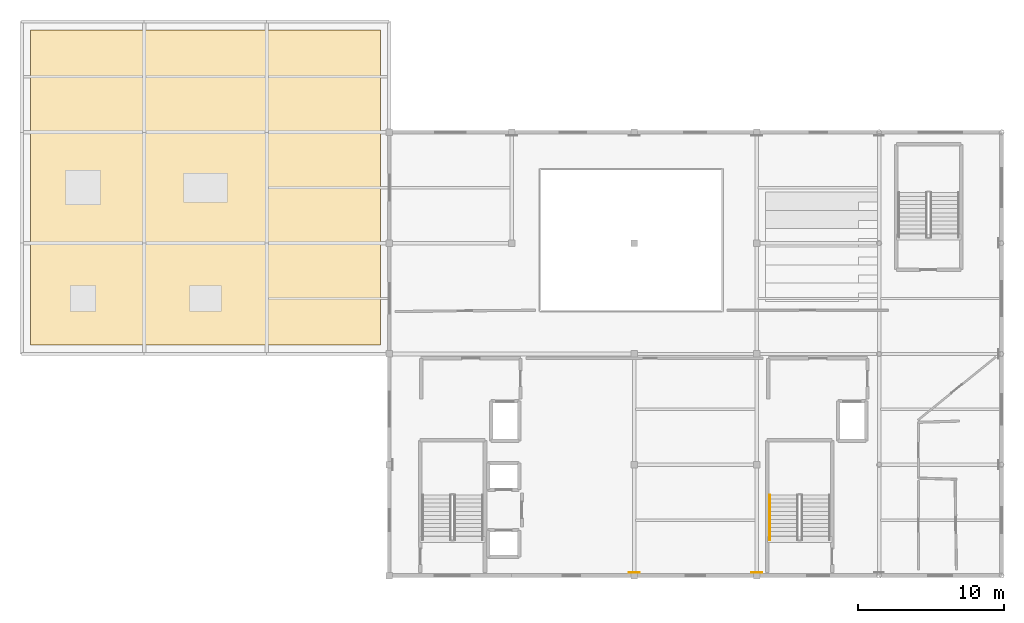
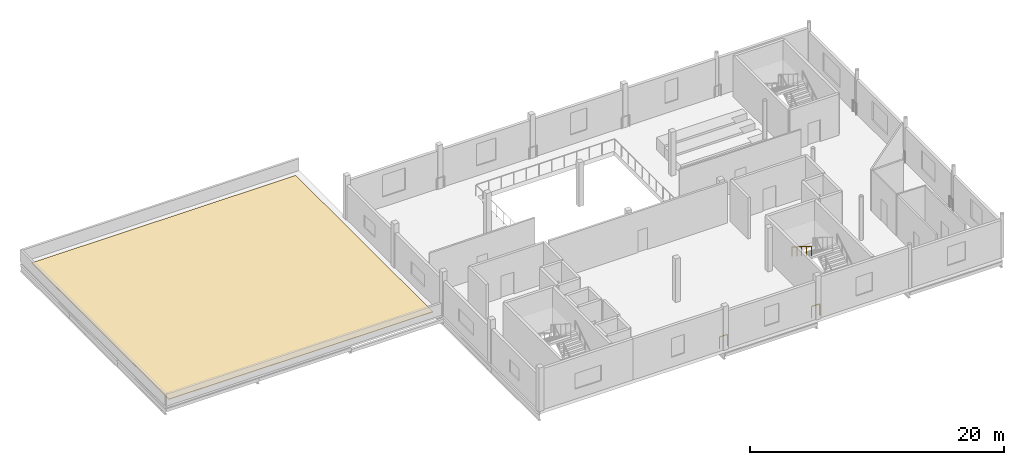
# One storey, part 10 of 13: 3 railings, 1 covering.
"""IFC4 building model written with IfcOpenShell, lengths in metres."""

import ifcopenshell
import ifcopenshell.guid

model = None  # the IFC model being written
_history = None  # IfcOwnerHistory: only IFC2X3 demands one
_inside = {}  # id of a spatial element -> (the spatial element, [elements in it])
_under = {}  # id of a project, library or spatial element -> (it, [spatial elements below it])
_declared = {}  # id of a project -> (the project, [libraries it declares])
_typed = {}  # id of a type object -> (the type object, [elements of that type])
_made_of = {}  # id of a material, layer set ... -> (it, [elements and type objects made of it])


def new_model(schema):
    """Start an empty IFC model of exactly this schema.

    Asked for "IFC4X3", IfcOpenShell would pick the latest addendum, in which some entities
    have other attributes; the version numbers below select the first issue.
    IFC2X3 requires an IfcOwnerHistory on every rooted entity: one is made here for all.
    """
    global model, _history
    if schema == "IFC4X3":
        model = ifcopenshell.file(schema_version=(4, 3, 0, 0))
    else:
        model = ifcopenshell.file(schema=schema)
    _inside.clear()
    _under.clear()
    _declared.clear()
    _typed.clear()
    _made_of.clear()
    _history = None
    if model.schema == "IFC2X3":
        org = make("IfcOrganization", Name="unknown")
        user = make(
            "IfcPersonAndOrganization",
            ThePerson=make("IfcPerson", FamilyName="unknown"),
            TheOrganization=org,
        )
        app = make(
            "IfcApplication",
            ApplicationDeveloper=org,
            Version="unknown",
            ApplicationFullName="unknown",
            ApplicationIdentifier="unknown",
        )
        _history = make(
            "IfcOwnerHistory",
            OwningUser=user,
            OwningApplication=app,
            ChangeAction="ADDED",
            CreationDate=0,
        )
    return model


def make(cls, **values):
    """One entity of the class cls with the attributes given. An attribute that is None is left unset."""
    return model.create_entity(
        cls, **{name: value for name, value in values.items() if value is not None}
    )


def rooted(cls, **values):
    """An entity with a GlobalId (a new one), such as an element, a storey or a relation."""
    return make(cls, GlobalId=ifcopenshell.guid.new(), OwnerHistory=_history, **values)


def si_unit(unit_type, name, prefix=None):
    """IfcSIUnit, for example si_unit("LENGTHUNIT", "METRE", prefix="MILLI")."""
    return make("IfcSIUnit", UnitType=unit_type, Prefix=prefix, Name=name)


def assignment(units):
    """IfcUnitAssignment: the units of a project."""
    return None if units is None else make("IfcUnitAssignment", Units=units)


def point(xyz):
    """IfcCartesianPoint."""
    return None if xyz is None else make("IfcCartesianPoint", Coordinates=xyz)


def direction(xyz):
    """IfcDirection."""
    return None if xyz is None else make("IfcDirection", DirectionRatios=xyz)


def frame(location, z_axis=None, x_axis=None):
    """IfcAxis2Placement3D, a coordinate frame: its origin and axes. An axis left out is left unset."""
    return make(
        "IfcAxis2Placement3D",
        Location=point(location),
        Axis=direction(z_axis),
        RefDirection=direction(x_axis),
    )


def frame_2d(location, x_axis=None):
    """IfcAxis2Placement2D, a coordinate frame in the plane: its origin and x axis."""
    return make(
        "IfcAxis2Placement2D", Location=point(location), RefDirection=direction(x_axis)
    )


def origin():
    """The frame at (0, 0, 0) with its axes left unset."""
    return frame((0.0, 0.0, 0.0))


def origin_2d():
    """The frame at (0, 0) in the plane with its x axis left unset."""
    return frame_2d((0.0, 0.0))


def place(relative_to, where):
    """IfcLocalPlacement: puts the frame where relative to a parent placement (None: the world)."""
    return make(
        "IfcLocalPlacement", PlacementRelTo=relative_to, RelativePlacement=where
    )


def context(
    kind, dimensions, precision=None, world=None, true_north=None, identifier=None
):
    """IfcGeometricRepresentationContext, for example the 3D "Model" context."""
    return make(
        "IfcGeometricRepresentationContext",
        ContextIdentifier=identifier,
        ContextType=kind,
        CoordinateSpaceDimension=dimensions,
        Precision=precision,
        WorldCoordinateSystem=world,
        TrueNorth=true_north,
    )


def subcontext(parent, identifier, kind, view, scale=None):
    """IfcGeometricRepresentationSubContext, for example "Body" below "Model"."""
    return make(
        "IfcGeometricRepresentationSubContext",
        ContextIdentifier=identifier,
        ContextType=kind,
        ParentContext=parent,
        TargetScale=scale,
        TargetView=view,
    )


def project(units=None, contexts=None):
    """IfcProject with its units and contexts."""
    return rooted(
        "IfcProject",
        Name="project",
        RepresentationContexts=contexts,
        UnitsInContext=assignment(units),
    )


def spatial(cls, under=None, at=None, **own):
    """A site, building, storey or space (cls), placed at a placement, below another one or the project."""
    s = rooted(cls, ObjectPlacement=at, **own)
    if under is not None:
        _under.setdefault(under.id(), (under, []))[1].append(s)
    return s


def polyline(points):
    """IfcPolyline through the points."""
    return make("IfcPolyline", Points=[point(p) for p in points])


def profile(cls, at=None, kind="AREA", **sizes):
    """A parametric profile (cls). Its sizes go by their IFC names, for example OverallWidth=200.0."""
    return make(cls, ProfileType=kind, Position=at, **sizes)


def circle(**sizes):
    """IfcCircleProfileDef."""
    return profile("IfcCircleProfileDef", **sizes)


def outline(outer, holes=None, kind="AREA"):
    """IfcArbitraryClosedProfileDef: a profile drawn as a closed curve; with holes, ...WithVoids."""
    if holes is None:
        return make("IfcArbitraryClosedProfileDef", ProfileType=kind, OuterCurve=outer)
    return make(
        "IfcArbitraryProfileDefWithVoids",
        ProfileType=kind,
        OuterCurve=outer,
        InnerCurves=holes,
    )


def extrude(swept, where, along, depth):
    """IfcExtrudedAreaSolid: the profile swept, set in the frame where, extruded along a direction by depth."""
    return make(
        "IfcExtrudedAreaSolid",
        SweptArea=swept,
        Position=where,
        ExtrudedDirection=direction(along),
        Depth=depth,
    )


def shape(context_of_items, identifier, shape_type, items):
    """IfcShapeRepresentation: the items that make up one representation, for example the "Body"."""
    return make(
        "IfcShapeRepresentation",
        ContextOfItems=context_of_items,
        RepresentationIdentifier=identifier,
        RepresentationType=shape_type,
        Items=items,
    )


def material(Name=None, Category=None):
    """IfcMaterial."""
    return make("IfcMaterial", Name=Name, Category=Category)


def layer(
    of_material, thickness, ventilated=None, Name=None, Category=None, Priority=None
):
    """IfcMaterialLayer: one layer of a wall or slab, of a material (None: an air gap)."""
    return make(
        "IfcMaterialLayer",
        Material=of_material,
        LayerThickness=thickness,
        IsVentilated=ventilated,
        Name=Name,
        Category=Category,
        Priority=Priority,
    )


def layer_set(layers, Name=None):
    """IfcMaterialLayerSet."""
    return make("IfcMaterialLayerSet", MaterialLayers=layers, LayerSetName=Name)


def made_of(thing, what):
    """Note that an element or type object is made of a material, layer set ...; save() writes the relation."""
    if what is not None:
        _made_of.setdefault(what.id(), (what, []))[1].append(thing)
    return thing


def type_object(cls, material=None, **own):
    """A type object (cls), such as IfcWallType, which elements share."""
    return made_of(rooted(cls, **own), material)


def element(
    cls,
    number,
    at=None,
    inside=None,
    cuts=None,
    type_object=None,
    material=None,
    context=None,
    identifier="Body",
    shape_type=None,
    held_by="IfcProductDefinitionShape",
    body=None,
    shapes=None,
    **own,
):
    """One element of the class cls, such as IfcWall. Its Tag is "e" and its number.

    at: its placement. inside: the storey or other place that contains it. cuts: it is an
    opening in that element (IfcRelVoidsElement). A single representation is given by context,
    identifier, shape_type and body (its items); several are given by shapes. held_by: the class
    of the entity that holds the representations. save() writes the other relations.
    """
    e = rooted(cls, Tag="e%d" % number, ObjectPlacement=at, **own)
    if body is not None:
        shapes = [shape(context, identifier, shape_type, body)]
    if shapes is not None:
        e.Representation = make(held_by, Representations=shapes)
    if inside is not None:
        _inside.setdefault(inside.id(), (inside, []))[1].append(e)
    if cuts is not None:
        rooted(
            "IfcRelVoidsElement", RelatingBuildingElement=cuts, RelatedOpeningElement=e
        )
    if type_object is not None:
        _typed.setdefault(type_object.id(), (type_object, []))[1].append(e)
    return made_of(e, material)


def aggregate(whole, parts):
    """IfcRelAggregates: a whole, such as a stair, and the parts it consists of."""
    return rooted("IfcRelAggregates", RelatingObject=whole, RelatedObjects=parts)


def save(model, path):
    """Write the relations noted so far, then the file.

    IfcRelAggregates (storeys below a building ...), IfcRelContainedInSpatialStructure (elements
    in a storey), IfcRelDefinesByType, IfcRelAssociatesMaterial and IfcRelDeclares: one each for
    every whole, place, type object, material and project.
    """
    for whole, parts in _under.values():
        aggregate(whole, parts)
    for where, things in _inside.values():
        rooted(
            "IfcRelContainedInSpatialStructure",
            RelatedElements=things,
            RelatingStructure=where,
        )
    for kind, things in _typed.values():
        rooted("IfcRelDefinesByType", RelatedObjects=things, RelatingType=kind)
    for what, things in _made_of.values():
        rooted("IfcRelAssociatesMaterial", RelatedObjects=things, RelatingMaterial=what)
    for by, libraries in _declared.values():
        rooted("IfcRelDeclares", RelatingContext=by, RelatedDefinitions=libraries)
    model.write(path)


model = new_model("IFC4")

# Units and contexts
model_context = context("Model", 3, precision=1e-05, world=origin(), true_north=direction((0.0, 1.0)))
body_context = subcontext(model_context, "Body", "Model", "MODEL_VIEW")
ifc_project = project(units=[si_unit("LENGTHUNIT", "METRE"), si_unit("AREAUNIT", "SQUARE_METRE"), si_unit("VOLUMEUNIT", "CUBIC_METRE"), si_unit("PLANEANGLEUNIT", "RADIAN"), si_unit("MASSUNIT", "GRAM", prefix="KILO")], contexts=[model_context])

# Site, building, storey
site_placement = place(None, origin())
site = spatial("IfcSite", under=ifc_project, at=site_placement, CompositionType="ELEMENT")
building_placement = place(site_placement, origin())
building = spatial("IfcBuilding", under=site, at=building_placement, Name="Zuvorla Pavilion Media Centre", CompositionType="ELEMENT")
storey_placement = place(building_placement, frame((0.0, 0.0, 22.199951171875)))
storey = spatial("IfcBuildingStorey", under=building, at=storey_placement, Name="L05", CompositionType="ELEMENT", Elevation=22.199951171875)

# Covering
ifc_material_1 = material(Name="Standing seam zinc-aluminium tropical roofing membrane", Category="aluminium")
ifc_layer = layer(ifc_material_1, 0.050048828125)
ifc_layer_set = layer_set([ifc_layer], Name="Standing seam zinc-aluminium tropical roofing membrane")
covering_type = type_object("IfcCoveringType", Name="COV-ROOF-MEM", PredefinedType="ROOFING", material=ifc_layer_set)
covering_placement = place(storey_placement, origin())
element("IfcCovering", 1, at=covering_placement, inside=storey, type_object=covering_type, Name="L05 roofing membrane COV-RF-L05SW", PredefinedType="ROOFING", context=body_context, shape_type="SweptSolid", body=[
    extrude(outline(polyline([(42.199951171875, 21.800048828125), (66.199951171875, 21.800048828125), (66.199951171875, 43.39990234375), (42.199951171875, 43.39990234375), (42.199951171875, 21.800048828125)])), origin(), (0.0, 0.0, 1.0), 0.050048828125),
])

# Railings
ifc_material_2 = material(Name="Powder-coated steel balustrade guard", Category="steel")
railing_type_1 = type_object("IfcRailingType", Name="RL-INT-GRD", PredefinedType="BALUSTRADE", material=ifc_material_2)
for number, where, name in (
    (2, (92.364990234375, 6.219970703125, 0.0), "L05 slab edge guard 138"),
    (3, (83.965087890625, 6.219970703125, 0.0), "L05 slab edge guard 139"),
):
    element("IfcRailing", number, at=place(storey_placement, frame(where)), inside=storey, type_object=railing_type_1, Name=name, PredefinedType="BALUSTRADE", context=body_context, shape_type="SweptSolid", body=[
        extrude(circle(Radius=0.02392578125, at=origin_2d()), frame((-0.02880859375, 0.0, 1.09619140625), z_axis=(-1.0, 0.0, 0.0), x_axis=(0.0, -1.0, 0.0)), (0.0, 0.0, 1.0), 0.67236328125),
        extrude(circle(Radius=0.02099609375, at=origin_2d()), origin(), (0.0, 0.0, 1.0), 1.070068359375),
        extrude(circle(Radius=0.02099609375, at=origin_2d()), frame((-0.72998046875, 0.0, 0.0)), (0.0, 0.0, 1.0), 1.070068359375),
    ])
ifc_material_3 = material(Name="Brushed stainless steel tubular handrail", Category="steel")
railing_type_2 = type_object("IfcRailingType", Name="RL-INT-HND", PredefinedType="HANDRAIL", material=ifc_material_3)
railing_placement = place(storey_placement, frame((92.89990234375, 11.530029296875, 2.275146484375)))
element("IfcRailing", 4, at=railing_placement, inside=storey, type_object=railing_type_2, Name="L05 ST-02 handrail 2", PredefinedType="HANDRAIL", context=body_context, shape_type="SweptSolid", body=[
    extrude(circle(Radius=0.02392578125, at=origin_2d()), frame((0.0, -0.0244140625, 0.89111328125), z_axis=(0.0, -0.848028513186, 0.529950602248), x_axis=(1.0, 0.0, 0.0)), (0.0, 0.0, 1.0), 3.57421875),
    extrude(circle(Radius=0.02099609375, at=origin_2d()), origin(), (0.0, 0.0, 1.0), 0.849853515625),
    extrude(circle(Radius=0.02099609375, at=origin_2d()), frame((0.0, -0.77001953125, 0.481201171875)), (0.0, 0.0, 1.0), 0.849853515625),
    extrude(circle(Radius=0.02099609375, at=origin_2d()), frame((0.0, -1.5400390625, 0.96240234375)), (0.0, 0.0, 1.0), 0.849853515625),
    extrude(circle(Radius=0.02099609375, at=origin_2d()), frame((0.0, -2.31005859375, 1.443603515625)), (0.0, 0.0, 1.0), 0.849853515625),
    extrude(circle(Radius=0.02099609375, at=origin_2d()), frame((0.0, -3.080078125, 1.9248046875)), (0.0, 0.0, 1.0), 0.849853515625),
])

save(model, "model.ifc")
